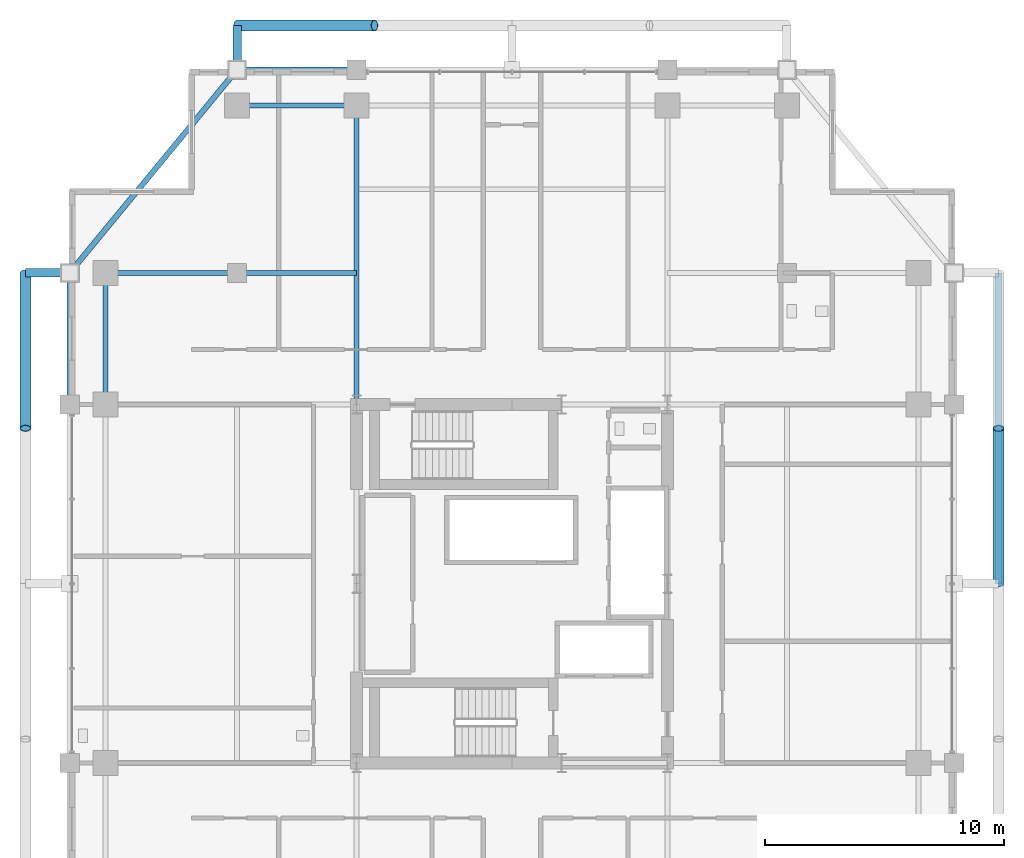
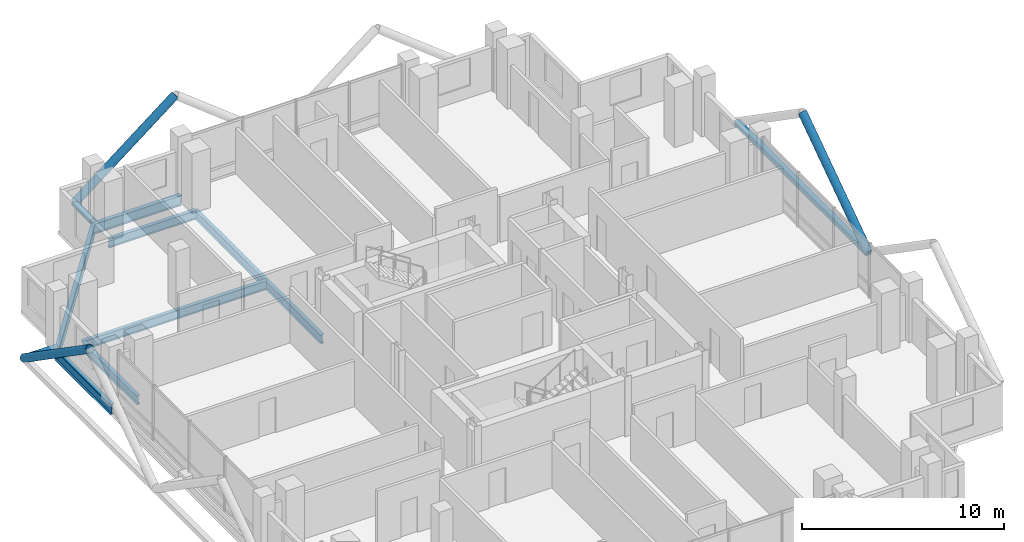
# One storey, part 14 of 25: 8 beams, 6 members.
"""IFC4 building model written with IfcOpenShell, lengths in metres."""

from ifc_helpers import new_model, si_unit, direction, frame, origin, origin_2d, place, context, subcontext, project, spatial, hollow_rectangle, hollow_circle, i_section, extrude, material, material_profile, profile_set, type_object, element, save


model = new_model("IFC4")

# Units and contexts
model_context = context("Model", 3, precision=1e-05, world=origin(), true_north=direction((0.0, 1.0)))
body_context = subcontext(model_context, "Body", "Model", "MODEL_VIEW")
ifc_project = project(units=[si_unit("LENGTHUNIT", "METRE"), si_unit("AREAUNIT", "SQUARE_METRE"), si_unit("VOLUMEUNIT", "CUBIC_METRE"), si_unit("PLANEANGLEUNIT", "RADIAN"), si_unit("MASSUNIT", "GRAM", prefix="KILO")], contexts=[model_context])

# Site, building, storey
site_placement = place(None, origin())
site = spatial("IfcSite", under=ifc_project, at=site_placement, CompositionType="ELEMENT")
building_placement = place(site_placement, origin())
building = spatial("IfcBuilding", under=site, at=building_placement, Name="Barlavira Tower and Art Museum", CompositionType="ELEMENT")
storey_placement = place(building_placement, frame((0.0, 0.0, 208.800048828125)))
storey = spatial("IfcBuildingStorey", under=building, at=storey_placement, Name="L54", CompositionType="ELEMENT", Elevation=208.800048828125)

# Members
ifc_material = material(Name="Steel S355", Category="steel")
ifc_material_profile_1 = material_profile(ifc_material, hollow_circle(Radius=0.228515625, WallThickness=0.02001953125, at=origin_2d()), Name="CHS 457.0x20.0")
ifc_profile_set_1 = profile_set([ifc_material_profile_1], Name="Steel S355")
member_type_1 = type_object("IfcMemberType", Name="Pale-Metal Exoskeleton Diagrid Tube CHS 457x20 Steel S355", PredefinedType="BRACE", material=ifc_profile_set_1)
member_1_placement = place(storey_placement, frame((-11.5, 23.35009765625, -0.1201171875), z_axis=(0.787505001008, 0.0, 0.616308261658), x_axis=(0.0, 1.0, 0.0)))
element("IfcMember", 1, at=member_1_placement, inside=storey, type_object=member_type_1, Name="L54 Exoskeleton Diagrid Tube N", PredefinedType="BRACE", context=body_context, shape_type="SweptSolid", body=[
    extrude(hollow_circle(Radius=0.228515625, WallThickness=0.02001953125, at=origin_2d()), origin(), (0.0, 0.0, 1.0), 7.301513671875),
])
for number, where, z_axis, x_axis, name in (
    (2, (-20.35009765625, 13.0, -0.1201171875), (0.0, -0.822192191644, 0.56920997883), (1.0, 0.0, 0.0), "L54 Exoskeleton Diagrid Tube W"),
    (3, (20.35009765625, 0.0, -0.1201171875), (0.0, 0.822192191644, 0.56920997883), (-1.0, 0.0, 0.0), "L54 Exoskeleton Diagrid Tube E"),
):
    element("IfcMember", number, at=place(storey_placement, frame(where, z_axis=z_axis, x_axis=x_axis)), inside=storey, type_object=member_type_1, Name=name, PredefinedType="BRACE", context=body_context, shape_type="SweptSolid", body=[
        extrude(hollow_circle(Radius=0.228515625, WallThickness=0.02001953125, at=origin_2d()), origin(), (0.0, 0.0, 1.0), 7.90576171875),
    ])
ifc_material_profile_2 = material_profile(ifc_material, hollow_circle(Radius=0.177734375, WallThickness=0.01611328125, at=origin_2d()), Name="CHS 355.6x16.0")
ifc_profile_set_2 = profile_set([ifc_material_profile_2], Name="Steel S355")
member_type_2 = type_object("IfcMemberType", Name="Pale-Metal Exoskeleton Tie Strut CHS 356x16 Steel S355", PredefinedType="STRUT", material=ifc_profile_set_2)
for number, where, z_axis, x_axis, name in (
    (4, (-11.5, 23.35009765625, -0.1201171875), (0.0, -1.0, 0.0), (1.0, 0.0, 0.0), "L54 Exoskeleton Tie Strut N1"),
    (5, (-20.35009765625, 13.0, -0.1201171875), (1.0, 0.0, 0.0), (0.0, 1.0, 0.0), "L54 Exoskeleton Tie Strut W3"),
):
    element("IfcMember", number, at=place(storey_placement, frame(where, z_axis=z_axis, x_axis=x_axis)), inside=storey, type_object=member_type_2, Name=name, PredefinedType="STRUT", context=body_context, shape_type="SweptSolid", body=[
        extrude(hollow_circle(Radius=0.177734375, WallThickness=0.01611328125, at=origin_2d()), origin(), (0.0, 0.0, 1.0), 1.85009765625),
    ])
ifc_material_profile_3 = material_profile(ifc_material, hollow_rectangle(XDim=0.300048828125, YDim=0.300048828125, WallThickness=0.01611328125, at=origin_2d()), Name="SHS 300x300x16.0")
ifc_profile_set_3 = profile_set([ifc_material_profile_3], Name="Steel S355")
member_type_3 = type_object("IfcMemberType", Name="Pale-Metal Upper Ring Strut SHS 300x300x16 Steel S355", PredefinedType="STRUT", material=ifc_profile_set_3)
member_2_placement = place(storey_placement, frame((20.35009765625, 0.0, -0.1201171875), z_axis=(0.0, 1.0, 0.0), x_axis=(-1.0, 0.0, 0.0)))
element("IfcMember", 6, at=member_2_placement, inside=storey, type_object=member_type_3, Name="L54 Exoskeleton Ring Strut E", PredefinedType="STRUT", context=body_context, shape_type="SweptSolid", body=[
    extrude(hollow_rectangle(XDim=0.300048828125, YDim=0.300048828125, WallThickness=0.01611328125, at=origin_2d()), origin(), (0.0, 0.0, 1.0), 13.0),
])

# Beams
ifc_material_profile_4 = material_profile(ifc_material, i_section(OverallWidth=0.22998046875, OverallDepth=0.616943359375, WebThickness=0.01318359375, FlangeThickness=0.022216796875, at=origin_2d()), Name="W610x140.0")
ifc_profile_set_4 = profile_set([ifc_material_profile_4], Name="Steel S355")
beam_type_1 = type_object("IfcBeamType", Name="Upper Shaft Spandrel Edge Beam W610x140 Steel S355", PredefinedType="SPANDREL", material=ifc_profile_set_4)
beam_1_placement = place(storey_placement, frame((-11.5, 21.5, -0.528564453125), z_axis=(1.0, 0.0, 0.0), x_axis=(0.0, 1.0, 0.0)))
element("IfcBeam", 7, at=beam_1_placement, inside=storey, type_object=beam_type_1, Name="L54 Spandrel 11", PredefinedType="SPANDREL", context=body_context, shape_type="SweptSolid", body=[
    extrude(i_section(OverallWidth=0.22998046875, OverallDepth=0.616943359375, WebThickness=0.01318359375, FlangeThickness=0.022216796875, at=origin_2d()), origin(), (0.0, 0.0, 1.0), 5.0),
])
beam_2_placement = place(storey_placement, frame((-11.5, 21.5, -0.528564453125), z_axis=(-0.635707252861, -0.771930235617, 0.0), x_axis=(0.771930235617, -0.635707252861, 0.0)))
element("IfcBeam", 8, at=beam_2_placement, inside=storey, type_object=beam_type_1, Name="L54 Spandrel 12", PredefinedType="SPANDREL", context=body_context, shape_type="SweptSolid", body=[
    extrude(i_section(OverallWidth=0.22998046875, OverallDepth=0.616943359375, WebThickness=0.01318359375, FlangeThickness=0.022216796875, at=origin_2d()), origin(), (0.0, 0.0, 1.0), 11.011474609375),
])
beam_3_placement = place(storey_placement, frame((-18.5, 7.5, -0.528564453125), z_axis=(0.0, 1.0, 0.0), x_axis=(-1.0, 0.0, 0.0)))
element("IfcBeam", 9, at=beam_3_placement, inside=storey, type_object=beam_type_1, Name="L54 Spandrel 13", PredefinedType="SPANDREL", context=body_context, shape_type="SweptSolid", body=[
    extrude(i_section(OverallWidth=0.22998046875, OverallDepth=0.616943359375, WebThickness=0.01318359375, FlangeThickness=0.022216796875, at=origin_2d()), origin(), (0.0, 0.0, 1.0), 5.5),
])
ifc_material_profile_5 = material_profile(ifc_material, i_section(OverallWidth=0.2109375, OverallDepth=0.5390625, WebThickness=0.01171875, FlangeThickness=0.018798828125, at=origin_2d()), Name="W530x109.0")
ifc_profile_set_5 = profile_set([ifc_material_profile_5], Name="Steel S355")
beam_type_2 = type_object("IfcBeamType", Name="Zone 3-4 Primary Floor Girder W530x109 Steel S355", PredefinedType="BEAM", material=ifc_profile_set_5)
beam_4_placement = place(storey_placement, frame((-11.5, 20.0, -0.489501953125), z_axis=(1.0, 0.0, 0.0), x_axis=(0.0, 1.0, 0.0)))
element("IfcBeam", 10, at=beam_4_placement, inside=storey, type_object=beam_type_2, Name="L54 Girder M-N1", PredefinedType="BEAM", context=body_context, shape_type="SweptSolid", body=[
    extrude(i_section(OverallWidth=0.2109375, OverallDepth=0.5390625, WebThickness=0.01171875, FlangeThickness=0.018798828125, at=origin_2d()), origin(), (0.0, 0.0, 1.0), 5.0),
])
beam_5_placement = place(storey_placement, frame((-17.0, 7.5, -0.489501953125), z_axis=(0.0, 1.0, 0.0), x_axis=(-1.0, 0.0, 0.0)))
element("IfcBeam", 11, at=beam_5_placement, inside=storey, type_object=beam_type_2, Name="L54 Girder M-W3", PredefinedType="BEAM", context=body_context, shape_type="SweptSolid", body=[
    extrude(i_section(OverallWidth=0.2109375, OverallDepth=0.5390625, WebThickness=0.01171875, FlangeThickness=0.018798828125, at=origin_2d()), origin(), (0.0, 0.0, 1.0), 5.5),
])
beam_6_placement = place(storey_placement, frame((-6.5, 7.5, -0.489501953125), z_axis=(0.0, 1.0, 0.0), x_axis=(-1.0, 0.0, 0.0)))
element("IfcBeam", 12, at=beam_6_placement, inside=storey, type_object=beam_type_2, Name="L54 Girder R-N1", PredefinedType="BEAM", context=body_context, shape_type="SweptSolid", body=[
    extrude(i_section(OverallWidth=0.2109375, OverallDepth=0.5390625, WebThickness=0.01171875, FlangeThickness=0.018798828125, at=origin_2d()), origin(), (0.0, 0.0, 1.0), 12.5),
])
beam_7_placement = place(storey_placement, frame((-17.0, 13.0, -0.489501953125), z_axis=(1.0, 0.0, 0.0), x_axis=(0.0, 1.0, 0.0)))
element("IfcBeam", 13, at=beam_7_placement, inside=storey, type_object=beam_type_2, Name="L54 Girder I-N1", PredefinedType="BEAM", context=body_context, shape_type="SweptSolid", body=[
    extrude(i_section(OverallWidth=0.2109375, OverallDepth=0.5390625, WebThickness=0.01171875, FlangeThickness=0.018798828125, at=origin_2d()), origin(), (0.0, 0.0, 1.0), 5.5),
])
beam_8_placement = place(storey_placement, frame((-11.5, 13.0, -0.489501953125), z_axis=(1.0, 0.0, 0.0), x_axis=(0.0, 1.0, 0.0)))
element("IfcBeam", 14, at=beam_8_placement, inside=storey, type_object=beam_type_2, Name="L54 Girder I-N2", PredefinedType="BEAM", context=body_context, shape_type="SweptSolid", body=[
    extrude(i_section(OverallWidth=0.2109375, OverallDepth=0.5390625, WebThickness=0.01171875, FlangeThickness=0.018798828125, at=origin_2d()), origin(), (0.0, 0.0, 1.0), 5.0),
])

save(model, "model.ifc")
